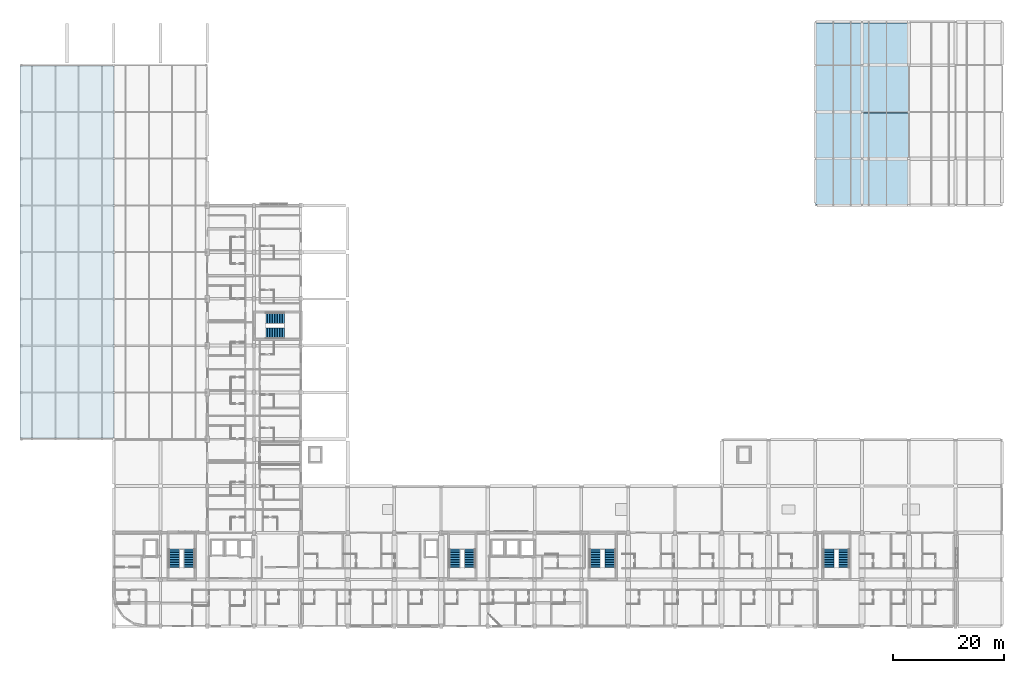
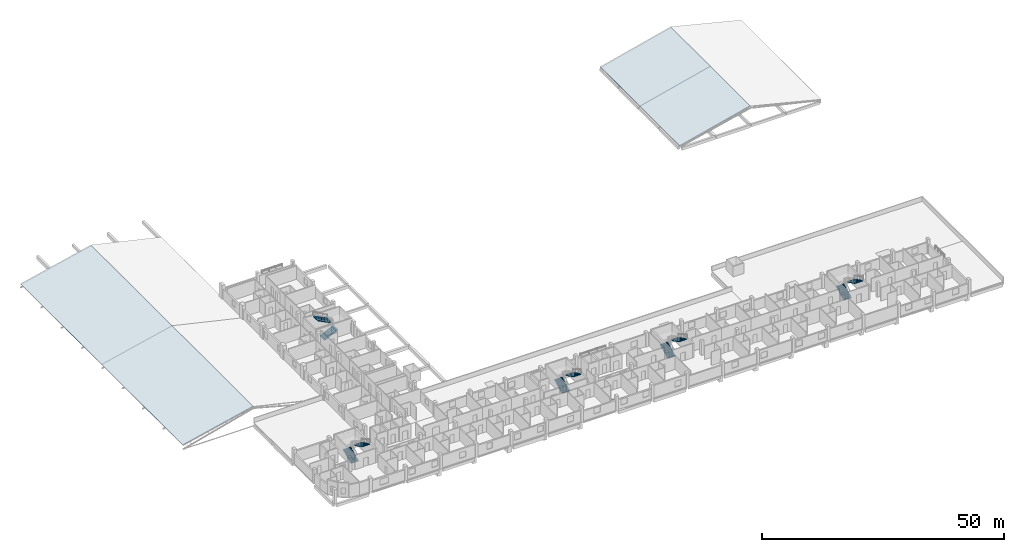
# One storey, part 39 of 42: 10 stair flights, 3 roofs, 5 elements without a shape of their own.
"""IFC4 building model written with IfcOpenShell, lengths in metres."""

import ifcopenshell
import ifcopenshell.guid

model = None  # the IFC model being written
_history = None  # IfcOwnerHistory: only IFC2X3 demands one
_inside = {}  # id of a spatial element -> (the spatial element, [elements in it])
_under = {}  # id of a project, library or spatial element -> (it, [spatial elements below it])
_declared = {}  # id of a project -> (the project, [libraries it declares])
_typed = {}  # id of a type object -> (the type object, [elements of that type])
_made_of = {}  # id of a material, layer set ... -> (it, [elements and type objects made of it])


def new_model(schema):
    """Start an empty IFC model of exactly this schema.

    Asked for "IFC4X3", IfcOpenShell would pick the latest addendum, in which some entities
    have other attributes; the version numbers below select the first issue.
    IFC2X3 requires an IfcOwnerHistory on every rooted entity: one is made here for all.
    """
    global model, _history
    if schema == "IFC4X3":
        model = ifcopenshell.file(schema_version=(4, 3, 0, 0))
    else:
        model = ifcopenshell.file(schema=schema)
    _inside.clear()
    _under.clear()
    _declared.clear()
    _typed.clear()
    _made_of.clear()
    _history = None
    if model.schema == "IFC2X3":
        org = make("IfcOrganization", Name="unknown")
        user = make(
            "IfcPersonAndOrganization",
            ThePerson=make("IfcPerson", FamilyName="unknown"),
            TheOrganization=org,
        )
        app = make(
            "IfcApplication",
            ApplicationDeveloper=org,
            Version="unknown",
            ApplicationFullName="unknown",
            ApplicationIdentifier="unknown",
        )
        _history = make(
            "IfcOwnerHistory",
            OwningUser=user,
            OwningApplication=app,
            ChangeAction="ADDED",
            CreationDate=0,
        )
    return model


def make(cls, **values):
    """One entity of the class cls with the attributes given. An attribute that is None is left unset."""
    return model.create_entity(
        cls, **{name: value for name, value in values.items() if value is not None}
    )


def rooted(cls, **values):
    """An entity with a GlobalId (a new one), such as an element, a storey or a relation."""
    return make(cls, GlobalId=ifcopenshell.guid.new(), OwnerHistory=_history, **values)


def si_unit(unit_type, name, prefix=None):
    """IfcSIUnit, for example si_unit("LENGTHUNIT", "METRE", prefix="MILLI")."""
    return make("IfcSIUnit", UnitType=unit_type, Prefix=prefix, Name=name)


def derived_unit(unit_type, elements):
    """IfcDerivedUnit: a product of units, each with its exponent."""
    return make(
        "IfcDerivedUnit",
        Elements=[
            make("IfcDerivedUnitElement", Unit=unit, Exponent=power)
            for unit, power in elements
        ],
        UnitType=unit_type,
    )


def assignment(units):
    """IfcUnitAssignment: the units of a project."""
    return None if units is None else make("IfcUnitAssignment", Units=units)


def point(xyz):
    """IfcCartesianPoint."""
    return None if xyz is None else make("IfcCartesianPoint", Coordinates=xyz)


def direction(xyz):
    """IfcDirection."""
    return None if xyz is None else make("IfcDirection", DirectionRatios=xyz)


def frame(location, z_axis=None, x_axis=None):
    """IfcAxis2Placement3D, a coordinate frame: its origin and axes. An axis left out is left unset."""
    return make(
        "IfcAxis2Placement3D",
        Location=point(location),
        Axis=direction(z_axis),
        RefDirection=direction(x_axis),
    )


def origin():
    """The frame at (0, 0, 0) with its axes left unset."""
    return frame((0.0, 0.0, 0.0))


def place(relative_to, where):
    """IfcLocalPlacement: puts the frame where relative to a parent placement (None: the world)."""
    return make(
        "IfcLocalPlacement", PlacementRelTo=relative_to, RelativePlacement=where
    )


def context(
    kind, dimensions, precision=None, world=None, true_north=None, identifier=None
):
    """IfcGeometricRepresentationContext, for example the 3D "Model" context."""
    return make(
        "IfcGeometricRepresentationContext",
        ContextIdentifier=identifier,
        ContextType=kind,
        CoordinateSpaceDimension=dimensions,
        Precision=precision,
        WorldCoordinateSystem=world,
        TrueNorth=true_north,
    )


def subcontext(parent, identifier, kind, view, scale=None):
    """IfcGeometricRepresentationSubContext, for example "Body" below "Model"."""
    return make(
        "IfcGeometricRepresentationSubContext",
        ContextIdentifier=identifier,
        ContextType=kind,
        ParentContext=parent,
        TargetScale=scale,
        TargetView=view,
    )


def project(units=None, contexts=None):
    """IfcProject with its units and contexts."""
    return rooted(
        "IfcProject",
        Name="project",
        RepresentationContexts=contexts,
        UnitsInContext=assignment(units),
    )


def spatial(cls, under=None, at=None, **own):
    """A site, building, storey or space (cls), placed at a placement, below another one or the project."""
    s = rooted(cls, ObjectPlacement=at, **own)
    if under is not None:
        _under.setdefault(under.id(), (under, []))[1].append(s)
    return s


def polyline(points):
    """IfcPolyline through the points."""
    return make("IfcPolyline", Points=[point(p) for p in points])


def outline(outer, holes=None, kind="AREA"):
    """IfcArbitraryClosedProfileDef: a profile drawn as a closed curve; with holes, ...WithVoids."""
    if holes is None:
        return make("IfcArbitraryClosedProfileDef", ProfileType=kind, OuterCurve=outer)
    return make(
        "IfcArbitraryProfileDefWithVoids",
        ProfileType=kind,
        OuterCurve=outer,
        InnerCurves=holes,
    )


def extrude(swept, where, along, depth):
    """IfcExtrudedAreaSolid: the profile swept, set in the frame where, extruded along a direction by depth."""
    return make(
        "IfcExtrudedAreaSolid",
        SweptArea=swept,
        Position=where,
        ExtrudedDirection=direction(along),
        Depth=depth,
    )


def shape(context_of_items, identifier, shape_type, items):
    """IfcShapeRepresentation: the items that make up one representation, for example the "Body"."""
    return make(
        "IfcShapeRepresentation",
        ContextOfItems=context_of_items,
        RepresentationIdentifier=identifier,
        RepresentationType=shape_type,
        Items=items,
    )


def material(Name=None, Category=None):
    """IfcMaterial."""
    return make("IfcMaterial", Name=Name, Category=Category)


def layer(
    of_material, thickness, ventilated=None, Name=None, Category=None, Priority=None
):
    """IfcMaterialLayer: one layer of a wall or slab, of a material (None: an air gap)."""
    return make(
        "IfcMaterialLayer",
        Material=of_material,
        LayerThickness=thickness,
        IsVentilated=ventilated,
        Name=Name,
        Category=Category,
        Priority=Priority,
    )


def layer_set(layers, Name=None):
    """IfcMaterialLayerSet."""
    return make("IfcMaterialLayerSet", MaterialLayers=layers, LayerSetName=Name)


def made_of(thing, what):
    """Note that an element or type object is made of a material, layer set ...; save() writes the relation."""
    if what is not None:
        _made_of.setdefault(what.id(), (what, []))[1].append(thing)
    return thing


def type_object(cls, material=None, **own):
    """A type object (cls), such as IfcWallType, which elements share."""
    return made_of(rooted(cls, **own), material)


def element(
    cls,
    number,
    at=None,
    inside=None,
    cuts=None,
    type_object=None,
    material=None,
    context=None,
    identifier="Body",
    shape_type=None,
    held_by="IfcProductDefinitionShape",
    body=None,
    shapes=None,
    **own,
):
    """One element of the class cls, such as IfcWall. Its Tag is "e" and its number.

    at: its placement. inside: the storey or other place that contains it. cuts: it is an
    opening in that element (IfcRelVoidsElement). A single representation is given by context,
    identifier, shape_type and body (its items); several are given by shapes. held_by: the class
    of the entity that holds the representations. save() writes the other relations.
    """
    e = rooted(cls, Tag="e%d" % number, ObjectPlacement=at, **own)
    if body is not None:
        shapes = [shape(context, identifier, shape_type, body)]
    if shapes is not None:
        e.Representation = make(held_by, Representations=shapes)
    if inside is not None:
        _inside.setdefault(inside.id(), (inside, []))[1].append(e)
    if cuts is not None:
        rooted(
            "IfcRelVoidsElement", RelatingBuildingElement=cuts, RelatedOpeningElement=e
        )
    if type_object is not None:
        _typed.setdefault(type_object.id(), (type_object, []))[1].append(e)
    return made_of(e, material)


def aggregate(whole, parts):
    """IfcRelAggregates: a whole, such as a stair, and the parts it consists of."""
    return rooted("IfcRelAggregates", RelatingObject=whole, RelatedObjects=parts)


def save(model, path):
    """Write the relations noted so far, then the file.

    IfcRelAggregates (storeys below a building ...), IfcRelContainedInSpatialStructure (elements
    in a storey), IfcRelDefinesByType, IfcRelAssociatesMaterial and IfcRelDeclares: one each for
    every whole, place, type object, material and project.
    """
    for whole, parts in _under.values():
        aggregate(whole, parts)
    for where, things in _inside.values():
        rooted(
            "IfcRelContainedInSpatialStructure",
            RelatedElements=things,
            RelatingStructure=where,
        )
    for kind, things in _typed.values():
        rooted("IfcRelDefinesByType", RelatedObjects=things, RelatingType=kind)
    for what, things in _made_of.values():
        rooted("IfcRelAssociatesMaterial", RelatedObjects=things, RelatingMaterial=what)
    for by, libraries in _declared.values():
        rooted("IfcRelDeclares", RelatingContext=by, RelatedDefinitions=libraries)
    model.write(path)


model = new_model("IFC4")

# Units and contexts
model_context = context("Model", 3, precision=1e-05, world=origin(), true_north=direction((0.0, 1.0)))
body_context = subcontext(model_context, "Body", "Model", "MODEL_VIEW")
ifc_project = project(units=[si_unit("LENGTHUNIT", "METRE"), si_unit("AREAUNIT", "SQUARE_METRE"), si_unit("VOLUMEUNIT", "CUBIC_METRE"), si_unit("PLANEANGLEUNIT", "RADIAN"), si_unit("MASSUNIT", "GRAM", prefix="KILO"), derived_unit("THERMALTRANSMITTANCEUNIT", [(si_unit("POWERUNIT", "WATT"), 1), (si_unit("LENGTHUNIT", "METRE"), -2), (si_unit("THERMODYNAMICTEMPERATUREUNIT", "KELVIN"), -1)])], contexts=[model_context])

# Site, building, storey
site_placement = place(None, origin())
site = spatial("IfcSite", under=ifc_project, at=site_placement, CompositionType="ELEMENT")
building_placement = place(site_placement, origin())
building = spatial("IfcBuilding", under=site, at=building_placement, Name="Barrovel Congress Hotel", CompositionType="ELEMENT")
storey_placement = place(building_placement, frame((0.0, 0.0, 18.300048828125)))
storey = spatial("IfcBuildingStorey", under=building, at=storey_placement, Name="L04", CompositionType="ELEMENT", Elevation=18.300048828125)

# Stair, stair flights
ifc_material_1 = material(Name="Concrete C40", Category="concrete")
stair_type_1 = type_object("IfcStairType", Name="STR-HT-360", PredefinedType="HALF_TURN_STAIR", material=ifc_material_1)
stair_1_placement = place(storey_placement, origin())
stair_1 = element("IfcStair", 1, at=stair_1_placement, inside=storey, type_object=stair_type_1, Name="Exit Stair XS-01 (L04)", PredefinedType="HALF_TURN_STAIR")
stair_flight_type_1 = type_object("IfcStairFlightType", Name="SFL-200x180", PredefinedType="STRAIGHT", material=ifc_material_1)
stair_flight_1_placement = place(storey_placement, frame((27.679931640625, 14.739990234375, 0.0), z_axis=(0.0, 0.0, 1.0), x_axis=(0.0, 1.0, 0.0)))
stair_flight_1 = element("IfcStairFlight", 2, at=stair_flight_1_placement, type_object=stair_flight_type_1, Name="STAIR:XS-01:L04:F1", NumberOfRisers=12, NumberOfTreads=11, PredefinedType="STRAIGHT", RiserHeight=0.15, TreadLength=0.3, context=body_context, shape_type="SweptSolid", body=[
    extrude(outline(polyline([(0.0, 0.0), (0.0, 0.14990234375), (0.300048828125, 0.14990234375), (0.300048828125, 0.300048828125), (0.60009765625, 0.300048828125), (0.60009765625, 0.449951171875), (0.89990234375, 0.449951171875), (0.89990234375, 0.60009765625), (1.199951171875, 0.60009765625), (1.199951171875, 0.75), (1.5, 0.75), (1.5, 0.89990234375), (1.800048828125, 0.89990234375), (1.800048828125, 1.050048828125), (2.10009765625, 1.050048828125), (2.10009765625, 1.199951171875), (2.39990234375, 1.199951171875), (2.39990234375, 1.35009765625), (2.699951171875, 1.35009765625), (2.699951171875, 1.5), (3.0, 1.5), (3.0, 1.64990234375), (3.300048828125, 1.64990234375), (3.300048828125, 1.800048828125), (3.300048828125, 1.44873046875), (0.40234375, 0.0), (0.0, 0.0)])), frame((0.0, 0.919921875, 0.0), z_axis=(0.0, -1.0, 0.0), x_axis=(1.0, 0.0, 0.0)), (0.0, 0.0, 1.0), 1.840087890625),
])
stair_flight_2_placement = place(storey_placement, frame((30.320068359375, 18.0400390625, 1.800048828125), z_axis=(0.0, 0.0, 1.0), x_axis=(0.0, -1.0, 0.0)))
stair_flight_2 = element("IfcStairFlight", 3, at=stair_flight_2_placement, type_object=stair_flight_type_1, Name="STAIR:XS-01:L04:F2", NumberOfRisers=12, NumberOfTreads=11, PredefinedType="STRAIGHT", RiserHeight=0.15, TreadLength=0.3, context=body_context, shape_type="SweptSolid", body=[
    extrude(outline(polyline([(0.0, 0.0), (0.0, 0.14990234375), (0.300048828125, 0.14990234375), (0.300048828125, 0.300048828125), (0.60009765625, 0.300048828125), (0.60009765625, 0.449951171875), (0.89990234375, 0.449951171875), (0.89990234375, 0.60009765625), (1.199951171875, 0.60009765625), (1.199951171875, 0.75), (1.5, 0.75), (1.5, 0.89990234375), (1.800048828125, 0.89990234375), (1.800048828125, 1.050048828125), (2.10009765625, 1.050048828125), (2.10009765625, 1.199951171875), (2.39990234375, 1.199951171875), (2.39990234375, 1.35009765625), (2.699951171875, 1.35009765625), (2.699951171875, 1.5), (3.0, 1.5), (3.0, 1.64990234375), (3.300048828125, 1.64990234375), (3.300048828125, 1.800048828125), (3.300048828125, 1.44873046875), (0.40234375, 0.0), (0.0, 0.0)])), frame((0.0, 0.919921875, 0.0), z_axis=(0.0, -1.0, 0.0), x_axis=(1.0, 0.0, 0.0)), (0.0, 0.0, 1.0), 1.840087890625),
])
aggregate(stair_1, [stair_flight_1, stair_flight_2])

stair_2_placement = place(storey_placement, origin())
stair_2 = element("IfcStair", 4, at=stair_2_placement, inside=storey, type_object=stair_type_1, Name="Exit Stair XS-02 (L04)", PredefinedType="HALF_TURN_STAIR")
stair_flight_3_placement = place(storey_placement, frame((78.080078125, 14.739990234375, 0.0), z_axis=(0.0, 0.0, 1.0), x_axis=(0.0, 1.0, 0.0)))
stair_flight_3 = element("IfcStairFlight", 5, at=stair_flight_3_placement, type_object=stair_flight_type_1, Name="STAIR:XS-02:L04:F1", NumberOfRisers=12, NumberOfTreads=11, PredefinedType="STRAIGHT", RiserHeight=0.15, TreadLength=0.3, context=body_context, shape_type="SweptSolid", body=[
    extrude(outline(polyline([(0.0, 0.0), (0.0, 0.14990234375), (0.300048828125, 0.14990234375), (0.300048828125, 0.300048828125), (0.60009765625, 0.300048828125), (0.60009765625, 0.449951171875), (0.89990234375, 0.449951171875), (0.89990234375, 0.60009765625), (1.199951171875, 0.60009765625), (1.199951171875, 0.75), (1.5, 0.75), (1.5, 0.89990234375), (1.800048828125, 0.89990234375), (1.800048828125, 1.050048828125), (2.10009765625, 1.050048828125), (2.10009765625, 1.199951171875), (2.39990234375, 1.199951171875), (2.39990234375, 1.35009765625), (2.699951171875, 1.35009765625), (2.699951171875, 1.5), (3.0, 1.5), (3.0, 1.64990234375), (3.300048828125, 1.64990234375), (3.300048828125, 1.800048828125), (3.300048828125, 1.44873046875), (0.40234375, 0.0), (0.0, 0.0)])), frame((0.0, 0.919921875, 0.0), z_axis=(0.0, -1.0, 0.0), x_axis=(1.0, 0.0, 0.0)), (0.0, 0.0, 1.0), 1.840087890625),
])
stair_flight_4_placement = place(storey_placement, frame((80.719970703125, 18.0400390625, 1.800048828125), z_axis=(0.0, 0.0, 1.0), x_axis=(0.0, -1.0, 0.0)))
stair_flight_4 = element("IfcStairFlight", 6, at=stair_flight_4_placement, type_object=stair_flight_type_1, Name="STAIR:XS-02:L04:F2", NumberOfRisers=12, NumberOfTreads=11, PredefinedType="STRAIGHT", RiserHeight=0.15, TreadLength=0.3, context=body_context, shape_type="SweptSolid", body=[
    extrude(outline(polyline([(0.0, 0.0), (0.0, 0.14990234375), (0.300048828125, 0.14990234375), (0.300048828125, 0.300048828125), (0.60009765625, 0.300048828125), (0.60009765625, 0.449951171875), (0.89990234375, 0.449951171875), (0.89990234375, 0.60009765625), (1.199951171875, 0.60009765625), (1.199951171875, 0.75), (1.5, 0.75), (1.5, 0.89990234375), (1.800048828125, 0.89990234375), (1.800048828125, 1.050048828125), (2.10009765625, 1.050048828125), (2.10009765625, 1.199951171875), (2.39990234375, 1.199951171875), (2.39990234375, 1.35009765625), (2.699951171875, 1.35009765625), (2.699951171875, 1.5), (3.0, 1.5), (3.0, 1.64990234375), (3.300048828125, 1.64990234375), (3.300048828125, 1.800048828125), (3.300048828125, 1.44873046875), (0.40234375, 0.0), (0.0, 0.0)])), frame((0.0, 0.919921875, 0.0), z_axis=(0.0, -1.0, 0.0), x_axis=(1.0, 0.0, 0.0)), (0.0, 0.0, 1.0), 1.840087890625),
])
aggregate(stair_2, [stair_flight_3, stair_flight_4])

stair_3_placement = place(storey_placement, origin())
stair_3 = element("IfcStair", 7, at=stair_3_placement, inside=storey, type_object=stair_type_1, Name="Exit Stair XS-03 (L04)", PredefinedType="HALF_TURN_STAIR")
stair_flight_5_placement = place(storey_placement, frame((103.280029296875, 14.739990234375, 0.0), z_axis=(0.0, 0.0, 1.0), x_axis=(0.0, 1.0, 0.0)))
stair_flight_5 = element("IfcStairFlight", 8, at=stair_flight_5_placement, type_object=stair_flight_type_1, Name="STAIR:XS-03:L04:F1", NumberOfRisers=12, NumberOfTreads=11, PredefinedType="STRAIGHT", RiserHeight=0.15, TreadLength=0.3, context=body_context, shape_type="SweptSolid", body=[
    extrude(outline(polyline([(0.0, 0.0), (0.0, 0.14990234375), (0.300048828125, 0.14990234375), (0.300048828125, 0.300048828125), (0.60009765625, 0.300048828125), (0.60009765625, 0.449951171875), (0.89990234375, 0.449951171875), (0.89990234375, 0.60009765625), (1.199951171875, 0.60009765625), (1.199951171875, 0.75), (1.5, 0.75), (1.5, 0.89990234375), (1.800048828125, 0.89990234375), (1.800048828125, 1.050048828125), (2.10009765625, 1.050048828125), (2.10009765625, 1.199951171875), (2.39990234375, 1.199951171875), (2.39990234375, 1.35009765625), (2.699951171875, 1.35009765625), (2.699951171875, 1.5), (3.0, 1.5), (3.0, 1.64990234375), (3.300048828125, 1.64990234375), (3.300048828125, 1.800048828125), (3.300048828125, 1.44873046875), (0.40234375, 0.0), (0.0, 0.0)])), frame((0.0, 0.919921875, 0.0), z_axis=(0.0, -1.0, 0.0), x_axis=(1.0, 0.0, 0.0)), (0.0, 0.0, 1.0), 1.840087890625),
])
stair_flight_6_placement = place(storey_placement, frame((105.919921875, 18.0400390625, 1.800048828125), z_axis=(0.0, 0.0, 1.0), x_axis=(0.0, -1.0, 0.0)))
stair_flight_6 = element("IfcStairFlight", 9, at=stair_flight_6_placement, type_object=stair_flight_type_1, Name="STAIR:XS-03:L04:F2", NumberOfRisers=12, NumberOfTreads=11, PredefinedType="STRAIGHT", RiserHeight=0.15, TreadLength=0.3, context=body_context, shape_type="SweptSolid", body=[
    extrude(outline(polyline([(0.0, 0.0), (0.0, 0.14990234375), (0.300048828125, 0.14990234375), (0.300048828125, 0.300048828125), (0.60009765625, 0.300048828125), (0.60009765625, 0.449951171875), (0.89990234375, 0.449951171875), (0.89990234375, 0.60009765625), (1.199951171875, 0.60009765625), (1.199951171875, 0.75), (1.5, 0.75), (1.5, 0.89990234375), (1.800048828125, 0.89990234375), (1.800048828125, 1.050048828125), (2.10009765625, 1.050048828125), (2.10009765625, 1.199951171875), (2.39990234375, 1.199951171875), (2.39990234375, 1.35009765625), (2.699951171875, 1.35009765625), (2.699951171875, 1.5), (3.0, 1.5), (3.0, 1.64990234375), (3.300048828125, 1.64990234375), (3.300048828125, 1.800048828125), (3.300048828125, 1.44873046875), (0.40234375, 0.0), (0.0, 0.0)])), frame((0.0, 0.919921875, 0.0), z_axis=(0.0, -1.0, 0.0), x_axis=(1.0, 0.0, 0.0)), (0.0, 0.0, 1.0), 1.840087890625),
])
aggregate(stair_3, [stair_flight_5, stair_flight_6])

stair_4_placement = place(storey_placement, origin())
stair_4 = element("IfcStair", 10, at=stair_4_placement, inside=storey, type_object=stair_type_1, Name="Exit Stair XS-04 (L04)", PredefinedType="HALF_TURN_STAIR")
stair_flight_7_placement = place(storey_placement, frame((145.280029296875, 14.739990234375, 0.0), z_axis=(0.0, 0.0, 1.0), x_axis=(0.0, 1.0, 0.0)))
stair_flight_7 = element("IfcStairFlight", 11, at=stair_flight_7_placement, type_object=stair_flight_type_1, Name="STAIR:XS-04:L04:F1", NumberOfRisers=12, NumberOfTreads=11, PredefinedType="STRAIGHT", RiserHeight=0.15, TreadLength=0.3, context=body_context, shape_type="SweptSolid", body=[
    extrude(outline(polyline([(0.0, 0.0), (0.0, 0.14990234375), (0.300048828125, 0.14990234375), (0.300048828125, 0.300048828125), (0.60009765625, 0.300048828125), (0.60009765625, 0.449951171875), (0.89990234375, 0.449951171875), (0.89990234375, 0.60009765625), (1.199951171875, 0.60009765625), (1.199951171875, 0.75), (1.5, 0.75), (1.5, 0.89990234375), (1.800048828125, 0.89990234375), (1.800048828125, 1.050048828125), (2.10009765625, 1.050048828125), (2.10009765625, 1.199951171875), (2.39990234375, 1.199951171875), (2.39990234375, 1.35009765625), (2.699951171875, 1.35009765625), (2.699951171875, 1.5), (3.0, 1.5), (3.0, 1.64990234375), (3.300048828125, 1.64990234375), (3.300048828125, 1.800048828125), (3.300048828125, 1.44873046875), (0.40234375, 0.0), (0.0, 0.0)])), frame((0.0, 0.919921875, 0.0), z_axis=(0.0, -1.0, 0.0), x_axis=(1.0, 0.0, 0.0)), (0.0, 0.0, 1.0), 1.840087890625),
])
stair_flight_8_placement = place(storey_placement, frame((147.919921875, 18.0400390625, 1.800048828125), z_axis=(0.0, 0.0, 1.0), x_axis=(0.0, -1.0, 0.0)))
stair_flight_8 = element("IfcStairFlight", 12, at=stair_flight_8_placement, type_object=stair_flight_type_1, Name="STAIR:XS-04:L04:F2", NumberOfRisers=12, NumberOfTreads=11, PredefinedType="STRAIGHT", RiserHeight=0.15, TreadLength=0.3, context=body_context, shape_type="SweptSolid", body=[
    extrude(outline(polyline([(0.0, 0.0), (0.0, 0.14990234375), (0.300048828125, 0.14990234375), (0.300048828125, 0.300048828125), (0.60009765625, 0.300048828125), (0.60009765625, 0.449951171875), (0.89990234375, 0.449951171875), (0.89990234375, 0.60009765625), (1.199951171875, 0.60009765625), (1.199951171875, 0.75), (1.5, 0.75), (1.5, 0.89990234375), (1.800048828125, 0.89990234375), (1.800048828125, 1.050048828125), (2.10009765625, 1.050048828125), (2.10009765625, 1.199951171875), (2.39990234375, 1.199951171875), (2.39990234375, 1.35009765625), (2.699951171875, 1.35009765625), (2.699951171875, 1.5), (3.0, 1.5), (3.0, 1.64990234375), (3.300048828125, 1.64990234375), (3.300048828125, 1.800048828125), (3.300048828125, 1.44873046875), (0.40234375, 0.0), (0.0, 0.0)])), frame((0.0, 0.919921875, 0.0), z_axis=(0.0, -1.0, 0.0), x_axis=(1.0, 0.0, 0.0)), (0.0, 0.0, 1.0), 1.840087890625),
])
aggregate(stair_4, [stair_flight_7, stair_flight_8])

stair_type_2 = type_object("IfcStairType", Name="STR-DR-360", PredefinedType="DOUBLE_RETURN_STAIR", material=ifc_material_1)
stair_5_placement = place(storey_placement, origin())
stair_5 = element("IfcStair", 13, at=stair_5_placement, inside=storey, type_object=stair_type_2, Name="Exit Stair XS-05 (L04)", PredefinedType="DOUBLE_RETURN_STAIR")
stair_flight_type_2 = type_object("IfcStairFlightType", Name="SFL-205x180", PredefinedType="STRAIGHT", material=ifc_material_1)
stair_flight_9_placement = place(storey_placement, frame((44.139892578125, 56.889892578125, 0.0), z_axis=(0.0, 0.0, 1.0), x_axis=(1.0, 0.0, 0.0)))
stair_flight_9 = element("IfcStairFlight", 14, at=stair_flight_9_placement, type_object=stair_flight_type_2, Name="STAIR:XS-05:L04:F1", NumberOfRisers=12, NumberOfTreads=11, PredefinedType="STRAIGHT", RiserHeight=0.15, TreadLength=0.3, context=body_context, shape_type="SweptSolid", body=[
    extrude(outline(polyline([(0.0, 0.0), (0.0, 0.14990234375), (0.300048828125, 0.14990234375), (0.300048828125, 0.300048828125), (0.60009765625, 0.300048828125), (0.60009765625, 0.449951171875), (0.89990234375, 0.449951171875), (0.89990234375, 0.60009765625), (1.199951171875, 0.60009765625), (1.199951171875, 0.75), (1.5, 0.75), (1.5, 0.89990234375), (1.800048828125, 0.89990234375), (1.800048828125, 1.050048828125), (2.10009765625, 1.050048828125), (2.10009765625, 1.199951171875), (2.39990234375, 1.199951171875), (2.39990234375, 1.35009765625), (2.699951171875, 1.35009765625), (2.699951171875, 1.5), (3.0, 1.5), (3.0, 1.64990234375), (3.300048828125, 1.64990234375), (3.300048828125, 1.800048828125), (3.300048828125, 1.44873046875), (0.40234375, 0.0), (0.0, 0.0)])), frame((0.0, 0.93017578125, 0.0), z_axis=(0.0, -1.0, 0.0), x_axis=(1.0, 0.0, 0.0)), (0.0, 0.0, 1.0), 1.860107421875),
])
stair_flight_10_placement = place(storey_placement, frame((47.43994140625, 59.510009765625, 1.800048828125), z_axis=(0.0, 0.0, 1.0), x_axis=(-1.0, 0.0, 0.0)))
stair_flight_10 = element("IfcStairFlight", 15, at=stair_flight_10_placement, type_object=stair_flight_type_2, Name="STAIR:XS-05:L04:F2", NumberOfRisers=12, NumberOfTreads=11, PredefinedType="STRAIGHT", RiserHeight=0.15, TreadLength=0.3, context=body_context, shape_type="SweptSolid", body=[
    extrude(outline(polyline([(0.0, 0.0), (0.0, 0.14990234375), (0.300048828125, 0.14990234375), (0.300048828125, 0.300048828125), (0.60009765625, 0.300048828125), (0.60009765625, 0.449951171875), (0.89990234375, 0.449951171875), (0.89990234375, 0.60009765625), (1.199951171875, 0.60009765625), (1.199951171875, 0.75), (1.5, 0.75), (1.5, 0.89990234375), (1.800048828125, 0.89990234375), (1.800048828125, 1.050048828125), (2.10009765625, 1.050048828125), (2.10009765625, 1.199951171875), (2.39990234375, 1.199951171875), (2.39990234375, 1.35009765625), (2.699951171875, 1.35009765625), (2.699951171875, 1.5), (3.0, 1.5), (3.0, 1.64990234375), (3.300048828125, 1.64990234375), (3.300048828125, 1.800048828125), (3.300048828125, 1.44873046875), (0.40234375, 0.0), (0.0, 0.0)])), frame((0.0, 0.93017578125, 0.0), z_axis=(0.0, -1.0, 0.0), x_axis=(1.0, 0.0, 0.0)), (0.0, 0.0, 1.0), 1.860107421875),
])
aggregate(stair_5, [stair_flight_9, stair_flight_10])

# Roofs
ifc_material_2 = material(Name="Concrete C35", Category="concrete")
ifc_layer_1 = layer(ifc_material_2, 0.159912109375)
ifc_layer_set_1 = layer_set([ifc_layer_1], Name="Concrete C35")
roof_type_1 = type_object("IfcRoofType", Name="ROOF-GABLE", PredefinedType="GABLE_ROOF", material=ifc_layer_set_1)
roof_1_placement = place(storey_placement, frame((0.0, 38.0, 0.02001953125), z_axis=(-0.22494120268, 0.0, 0.974372339169), x_axis=(0.974372339169, 0.0, 0.22494120268)))
element("IfcRoof", 16, at=roof_1_placement, inside=storey, type_object=roof_type_1, Name="Congress Hall Space Frame Roof", PredefinedType="GABLE_ROOF", context=body_context, shape_type="SweptSolid", body=[
    extrude(outline(polyline([(0.0, 0.0), (17.24191887719308, 0.0), (17.24191887719308, 66.800048828125), (0.0, 66.800048828125), (0.0, 0.0)])), origin(), (0.0, 0.0, -1.0), 0.06005859375),
])
ifc_layer_2 = layer(ifc_material_2, 0.159912109375)
ifc_layer_set_2 = layer_set([ifc_layer_2], Name="Concrete C35")
roof_type_2 = type_object("IfcRoofType", Name="ROOF-HIP", PredefinedType="HIP_ROOF", material=ifc_layer_set_2)
roof_2_placement = place(storey_placement, frame((142.800048828125, 80.0, 0.02001953125), z_axis=(-0.241921791261, 0.0, 0.970295752291), x_axis=(0.970295752291, 0.0, 0.241921791261)))
element("IfcRoof", 17, at=roof_2_placement, inside=storey, type_object=roof_type_2, Name="Pavilion Hipped Roof 1", PredefinedType="HIP_ROOF", context=body_context, shape_type="SweptSolid", body=[
    extrude(outline(polyline([(0.0, 0.0), (17.314358831795424, 0.0), (17.314358831795424, 16.399902343749996), (0.0, 16.399902343749996), (0.0, 0.0)])), origin(), (0.0, 0.0, -1.0), 0.06005859375),
])
roof_3_placement = place(storey_placement, frame((142.800048828125, 96.39990234375, 0.02001953125), z_axis=(-0.241921791261, 0.0, 0.970295752291), x_axis=(0.970295752291, 0.0, 0.241921791261)))
element("IfcRoof", 18, at=roof_3_placement, inside=storey, type_object=roof_type_2, Name="Pavilion Hipped Roof 2", PredefinedType="HIP_ROOF", context=body_context, shape_type="SweptSolid", body=[
    extrude(outline(polyline([(0.0, 0.0), (17.314358831795424, 0.0), (17.314358831795424, 16.200195312499996), (0.0, 16.200195312499996), (0.0, 0.0)])), origin(), (0.0, 0.0, -1.0), 0.06005859375),
])

save(model, "model.ifc")
